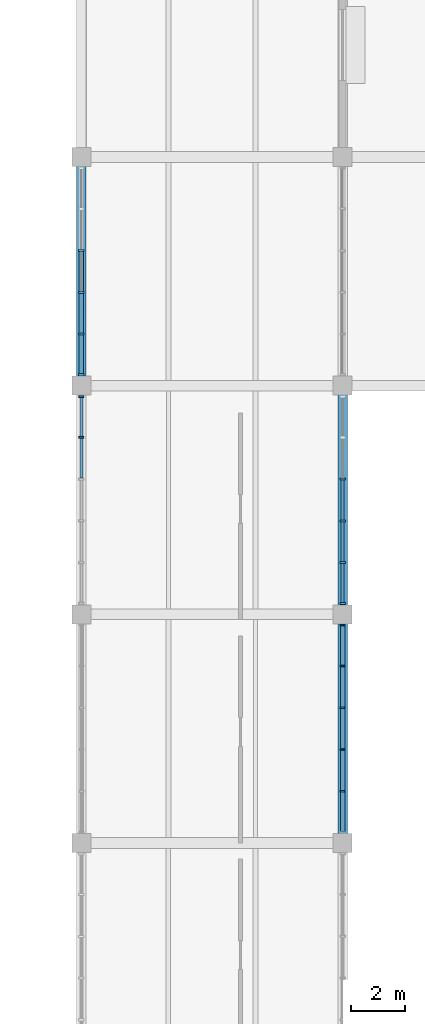
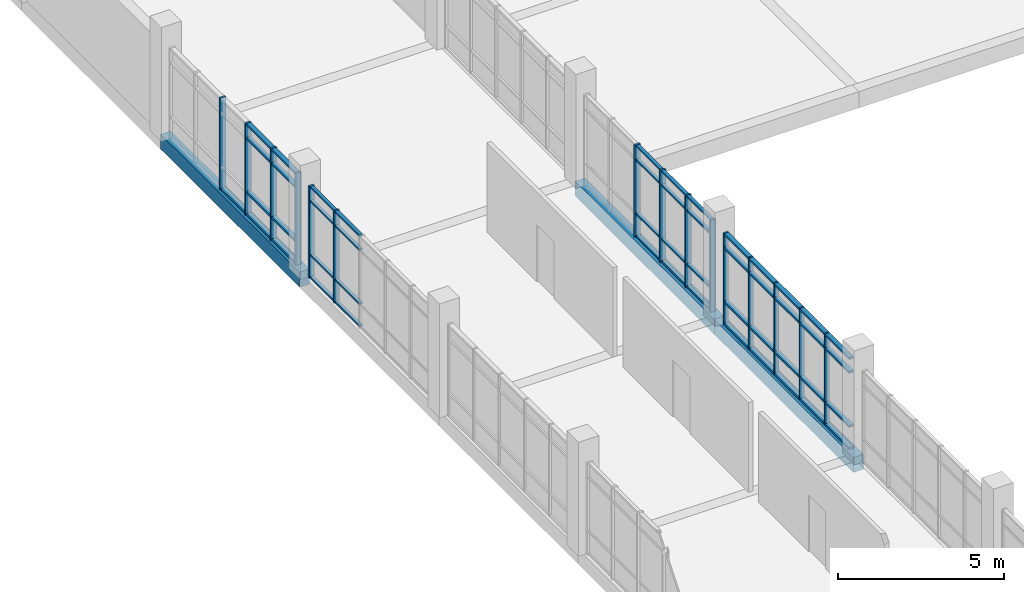
# One storey, part 12 of 57: 64 members, 3 beams, 4 elements without a shape of their own.
"""IFC4 building model written with IfcOpenShell, lengths in metres."""

from ifc_helpers import new_model, si_unit, direction, frame, origin, origin_2d, place, context, subcontext, project, spatial, rectangle, extrude, material, material_profile, profile_set, type_object, element, aggregate, save


model = new_model("IFC4")

# Units and contexts
model_context = context("Model", 3, precision=1e-05, world=origin(), true_north=direction((0.0, 1.0)))
body_context = subcontext(model_context, "Body", "Model", "MODEL_VIEW")
ifc_project = project(units=[si_unit("LENGTHUNIT", "METRE"), si_unit("AREAUNIT", "SQUARE_METRE"), si_unit("VOLUMEUNIT", "CUBIC_METRE"), si_unit("PLANEANGLEUNIT", "RADIAN"), si_unit("MASSUNIT", "GRAM", prefix="KILO")], contexts=[model_context])

# Site, building, storey
site_placement = place(None, origin())
site = spatial("IfcSite", under=ifc_project, at=site_placement, CompositionType="ELEMENT")
building_placement = place(site_placement, origin())
building = spatial("IfcBuilding", under=site, at=building_placement, Name="Oolite Switchyard Hospital", CompositionType="ELEMENT")
storey_placement = place(building_placement, frame((0.0, 0.0, 17.800048828125)))
storey = spatial("IfcBuildingStorey", under=building, at=storey_placement, Name="L04", CompositionType="ELEMENT", Elevation=17.800048828125)

# Beams
ifc_material_1 = material(Name="Concrete C40/50", Category="concrete")
ifc_material_profile_1 = material_profile(ifc_material_1, rectangle(XDim=0.35009765625, YDim=0.550048828125, at=origin_2d()), Name="RCB350X550")
ifc_profile_set_1 = profile_set([ifc_material_profile_1], Name="Concrete C40/50")
beam_type = type_object("IfcBeamType", Name="BM-RC350X550", PredefinedType="BEAM", material=ifc_profile_set_1)
for number, where, z_axis, x_axis, name in (
    (1, (134.39990234375, 58.800048828125, -0.275146484375), (0.0, 1.0, 0.0), (-1.0, 0.0, 0.0), "L04 Y-Girder 2982"),
    (2, (144.0, 42.0, -0.275146484375), (0.0, 1.0, 0.0), (-1.0, 0.0, 0.0), "L04 Y-Girder 2995"),
):
    element("IfcBeam", number, at=place(storey_placement, frame(where, z_axis=z_axis, x_axis=x_axis)), inside=storey, type_object=beam_type, Name=name, PredefinedType="BEAM", context=body_context, shape_type="SweptSolid", body=[
        extrude(rectangle(XDim=0.35009765625, YDim=0.550048828125, at=origin_2d()), origin(), (0.0, 0.0, 1.0), 8.39990234375),
    ])
beam_placement = place(storey_placement, frame((144.0, 50.39990234375, -0.275146484375), z_axis=(0.0, 1.0, 0.0), x_axis=(-1.0, 0.0, 0.0)))
element("IfcBeam", 3, at=beam_placement, inside=storey, type_object=beam_type, Name="L04 Y-Girder 2996", PredefinedType="BEAM", context=body_context, shape_type="SweptSolid", body=[
    extrude(rectangle(XDim=0.35009765625, YDim=0.550048828125, at=origin_2d()), origin(), (0.0, 0.0, 1.0), 8.400146484375),
])

# Curtain wall, members
ifc_material_2 = material(Name="Thermally broken aluminum frame with laminated impact glazing", Category="aluminium")
curtain_wall_type = type_object("IfcCurtainWallType", Name="CW-UNIT-84X42", PredefinedType="USERDEFINED", material=ifc_material_2)
curtain_wall_1_placement = place(storey_placement, origin())
curtain_wall_1 = element("IfcCurtainWall", 4, at=curtain_wall_1_placement, inside=storey, type_object=curtain_wall_type, Name="L04 Unitised Curtain Wall 371", ObjectType="UNITISED", PredefinedType="USERDEFINED")
ifc_material_3 = material(Name="Aluminium 6063-T6", Category="aluminium")
ifc_material_profile_2 = material_profile(ifc_material_3, rectangle(XDim=0.159912109375, YDim=0.06005859375, at=origin_2d()), Name="CWM60X160")
ifc_profile_set_2 = profile_set([ifc_material_profile_2], Name="Aluminium 6063-T6")
member_type_1 = type_object("IfcMemberType", Name="CW-MUL-180", PredefinedType="MULLION", material=ifc_profile_set_2)
member_1_placement = place(storey_placement, frame((144.0, 50.0048828125, 0.0), z_axis=(0.0, 0.0, 1.0), x_axis=(1.0, 0.0, 0.0)))
member_1 = element("IfcMember", 5, at=member_1_placement, type_object=member_type_1, Name="CW-10 mullion 1", PredefinedType="MULLION", context=body_context, shape_type="SweptSolid", body=[
    extrude(rectangle(XDim=0.159912109375, YDim=0.06005859375, at=origin_2d()), origin(), (0.0, 0.0, 1.0), 3.389892578125),
])
member_2_placement = place(storey_placement, frame((144.0, 48.5009765625, 0.0), z_axis=(0.0, 0.0, 1.0), x_axis=(1.0, 0.0, 0.0)))
member_2 = element("IfcMember", 6, at=member_2_placement, type_object=member_type_1, Name="CW-10 mullion 2", PredefinedType="MULLION", context=body_context, shape_type="SweptSolid", body=[
    extrude(rectangle(XDim=0.159912109375, YDim=0.06005859375, at=origin_2d()), origin(), (0.0, 0.0, 1.0), 3.389892578125),
])
member_3_placement = place(storey_placement, frame((144.0, 46.967041015625, 0.0), z_axis=(0.0, 0.0, 1.0), x_axis=(1.0, 0.0, 0.0)))
member_3 = element("IfcMember", 7, at=member_3_placement, type_object=member_type_1, Name="CW-10 mullion 3", PredefinedType="MULLION", context=body_context, shape_type="SweptSolid", body=[
    extrude(rectangle(XDim=0.159912109375, YDim=0.06005859375, at=origin_2d()), origin(), (0.0, 0.0, 1.0), 3.389892578125),
])
member_4_placement = place(storey_placement, frame((144.0, 45.43310546875, 0.0), z_axis=(0.0, 0.0, 1.0), x_axis=(1.0, 0.0, 0.0)))
member_4 = element("IfcMember", 8, at=member_4_placement, type_object=member_type_1, Name="CW-10 mullion 4", PredefinedType="MULLION", context=body_context, shape_type="SweptSolid", body=[
    extrude(rectangle(XDim=0.159912109375, YDim=0.06005859375, at=origin_2d()), origin(), (0.0, 0.0, 1.0), 3.389892578125),
])
member_5_placement = place(storey_placement, frame((144.0, 43.89892578125, 0.0), z_axis=(0.0, 0.0, 1.0), x_axis=(1.0, 0.0, 0.0)))
member_5 = element("IfcMember", 9, at=member_5_placement, type_object=member_type_1, Name="CW-10 mullion 5", PredefinedType="MULLION", context=body_context, shape_type="SweptSolid", body=[
    extrude(rectangle(XDim=0.159912109375, YDim=0.06005859375, at=origin_2d()), origin(), (0.0, 0.0, 1.0), 3.389892578125),
])

curtain_wall_2_placement = place(storey_placement, origin())
curtain_wall_2 = element("IfcCurtainWall", 10, at=curtain_wall_2_placement, inside=storey, type_object=curtain_wall_type, Name="L04 Unitised Curtain Wall 366", ObjectType="UNITISED", PredefinedType="USERDEFINED")
ifc_material_profile_3 = material_profile(ifc_material_3, rectangle(XDim=0.179931640625, YDim=0.070068359375, at=origin_2d()), Name="CWM70X180")
ifc_profile_set_3 = profile_set([ifc_material_profile_3], Name="Aluminium 6063-T6")
member_type_2 = type_object("IfcMemberType", Name="CW-MUL-220", PredefinedType="MULLION", material=ifc_profile_set_3)
member_6_placement = place(storey_placement, frame((134.39990234375, 56.90087890625, 0.0), z_axis=(0.0, 0.0, 1.0), x_axis=(-1.0, 0.0, 0.0)))
member_6 = element("IfcMember", 11, at=member_6_placement, type_object=member_type_2, Name="CW-10 mullion 5", PredefinedType="MULLION", context=body_context, shape_type="SweptSolid", body=[
    extrude(rectangle(XDim=0.179931640625, YDim=0.070068359375, at=origin_2d()), origin(), (0.0, 0.0, 1.0), 3.389892578125),
])
member_7_placement = place(storey_placement, frame((134.39990234375, 58.39990234375, 0.0), z_axis=(0.0, 0.0, 1.0), x_axis=(-1.0, 0.0, 0.0)))
member_7 = element("IfcMember", 12, at=member_7_placement, type_object=member_type_2, Name="CW-10 mullion 6", PredefinedType="MULLION", context=body_context, shape_type="SweptSolid", body=[
    extrude(rectangle(XDim=0.179931640625, YDim=0.070068359375, at=origin_2d()), origin(), (0.0, 0.0, 1.0), 3.389892578125),
])

curtain_wall_3_placement = place(storey_placement, origin())
curtain_wall_3 = element("IfcCurtainWall", 13, at=curtain_wall_3_placement, inside=storey, type_object=curtain_wall_type, Name="L04 Unitised Curtain Wall 367", ObjectType="UNITISED", PredefinedType="USERDEFINED")
ifc_material_profile_4 = material_profile(ifc_material_3, rectangle(XDim=0.199951171875, YDim=0.074951171875, at=origin_2d()), Name="CWM75X200")
ifc_profile_set_4 = profile_set([ifc_material_profile_4], Name="Aluminium 6063-T6")
member_type_3 = type_object("IfcMemberType", Name="CW-MUL-260", PredefinedType="MULLION", material=ifc_profile_set_4)
member_8_placement = place(storey_placement, frame((134.39990234375, 59.202392578125, 0.0), z_axis=(0.0, 0.0, 1.0), x_axis=(-1.0, 0.0, 0.0)))
member_8 = element("IfcMember", 14, at=member_8_placement, type_object=member_type_3, Name="CW-10 mullion 1", PredefinedType="MULLION", context=body_context, shape_type="SweptSolid", body=[
    extrude(rectangle(XDim=0.199951171875, YDim=0.074951171875, at=origin_2d()), origin(), (0.0, 0.0, 1.0), 3.389892578125),
])
member_9_placement = place(storey_placement, frame((134.39990234375, 60.698974609375, 0.0), z_axis=(0.0, 0.0, 1.0), x_axis=(-1.0, 0.0, 0.0)))
member_9 = element("IfcMember", 15, at=member_9_placement, type_object=member_type_3, Name="CW-10 mullion 2", PredefinedType="MULLION", context=body_context, shape_type="SweptSolid", body=[
    extrude(rectangle(XDim=0.199951171875, YDim=0.074951171875, at=origin_2d()), origin(), (0.0, 0.0, 1.0), 3.389892578125),
])
member_10_placement = place(storey_placement, frame((134.39990234375, 62.23291015625, 0.0), z_axis=(0.0, 0.0, 1.0), x_axis=(-1.0, 0.0, 0.0)))
member_10 = element("IfcMember", 16, at=member_10_placement, type_object=member_type_3, Name="CW-10 mullion 3", PredefinedType="MULLION", context=body_context, shape_type="SweptSolid", body=[
    extrude(rectangle(XDim=0.199951171875, YDim=0.074951171875, at=origin_2d()), origin(), (0.0, 0.0, 1.0), 3.389892578125),
])
member_11_placement = place(storey_placement, frame((134.39990234375, 63.76708984375, 0.0), z_axis=(0.0, 0.0, 1.0), x_axis=(-1.0, 0.0, 0.0)))
member_11 = element("IfcMember", 17, at=member_11_placement, type_object=member_type_3, Name="CW-10 mullion 4", PredefinedType="MULLION", context=body_context, shape_type="SweptSolid", body=[
    extrude(rectangle(XDim=0.199951171875, YDim=0.074951171875, at=origin_2d()), origin(), (0.0, 0.0, 1.0), 3.389892578125),
])

curtain_wall_4_placement = place(storey_placement, origin())
curtain_wall_4 = element("IfcCurtainWall", 18, at=curtain_wall_4_placement, inside=storey, type_object=curtain_wall_type, Name="L04 Unitised Curtain Wall 370", ObjectType="UNITISED", PredefinedType="USERDEFINED")
member_12_placement = place(storey_placement, frame((144.0, 55.366943359375, 0.0), z_axis=(0.0, 0.0, 1.0), x_axis=(1.0, 0.0, 0.0)))
member_12 = element("IfcMember", 19, at=member_12_placement, type_object=member_type_3, Name="CW-10 mullion 3", PredefinedType="MULLION", context=body_context, shape_type="SweptSolid", body=[
    extrude(rectangle(XDim=0.199951171875, YDim=0.074951171875, at=origin_2d()), origin(), (0.0, 0.0, 1.0), 3.389892578125),
])
member_13_placement = place(storey_placement, frame((144.0, 53.8330078125, 0.0), z_axis=(0.0, 0.0, 1.0), x_axis=(1.0, 0.0, 0.0)))
member_13 = element("IfcMember", 20, at=member_13_placement, type_object=member_type_3, Name="CW-10 mullion 4", PredefinedType="MULLION", context=body_context, shape_type="SweptSolid", body=[
    extrude(rectangle(XDim=0.199951171875, YDim=0.074951171875, at=origin_2d()), origin(), (0.0, 0.0, 1.0), 3.389892578125),
])
member_14_placement = place(storey_placement, frame((144.0, 52.299072265625, 0.0), z_axis=(0.0, 0.0, 1.0), x_axis=(1.0, 0.0, 0.0)))
member_14 = element("IfcMember", 21, at=member_14_placement, type_object=member_type_3, Name="CW-10 mullion 5", PredefinedType="MULLION", context=body_context, shape_type="SweptSolid", body=[
    extrude(rectangle(XDim=0.199951171875, YDim=0.074951171875, at=origin_2d()), origin(), (0.0, 0.0, 1.0), 3.389892578125),
])
member_15_placement = place(storey_placement, frame((144.0, 50.802490234375, 0.0), z_axis=(0.0, 0.0, 1.0), x_axis=(1.0, 0.0, 0.0)))
member_15 = element("IfcMember", 22, at=member_15_placement, type_object=member_type_3, Name="CW-10 mullion 6", PredefinedType="MULLION", context=body_context, shape_type="SweptSolid", body=[
    extrude(rectangle(XDim=0.199951171875, YDim=0.074951171875, at=origin_2d()), origin(), (0.0, 0.0, 1.0), 3.389892578125),
])

# Member
ifc_material_profile_5 = material_profile(ifc_material_3, rectangle(XDim=0.1201171875, YDim=0.06005859375, at=origin_2d()), Name="CWT60X120")
ifc_profile_set_5 = profile_set([ifc_material_profile_5], Name="Aluminium 6063-T6")
member_type_4 = type_object("IfcMemberType", Name="CW-TRN-150", PredefinedType="USERDEFINED", material=ifc_profile_set_5)
member_16_placement = place(storey_placement, frame((134.39990234375, 55.402099609375, 0.030029296875), z_axis=(0.0, 1.0, 0.0), x_axis=(-1.0, 0.0, 0.0)))
member_16 = element("IfcMember", 23, at=member_16_placement, type_object=member_type_4, Name="CW-10 transom 4.1", ObjectType="TRANSOM", PredefinedType="USERDEFINED", context=body_context, shape_type="SweptSolid", body=[
    extrude(rectangle(XDim=0.1201171875, YDim=0.06005859375, at=origin_2d()), origin(), (0.0, 0.0, 1.0), 1.4638671875),
])

member_17_placement = place(storey_placement, frame((134.39990234375, 55.402099609375, 0.849853515625), z_axis=(0.0, 1.0, 0.0), x_axis=(-1.0, 0.0, 0.0)))
member_17 = element("IfcMember", 24, at=member_17_placement, type_object=member_type_4, Name="CW-10 transom 4.2", ObjectType="TRANSOM", PredefinedType="USERDEFINED", context=body_context, shape_type="SweptSolid", body=[
    extrude(rectangle(XDim=0.1201171875, YDim=0.06005859375, at=origin_2d()), origin(), (0.0, 0.0, 1.0), 1.4638671875),
])

member_18_placement = place(storey_placement, frame((134.39990234375, 55.402099609375, 2.83984375), z_axis=(0.0, 1.0, 0.0), x_axis=(-1.0, 0.0, 0.0)))
member_18 = element("IfcMember", 25, at=member_18_placement, type_object=member_type_4, Name="CW-10 transom 4.3", ObjectType="TRANSOM", PredefinedType="USERDEFINED", context=body_context, shape_type="SweptSolid", body=[
    extrude(rectangle(XDim=0.1201171875, YDim=0.06005859375, at=origin_2d()), origin(), (0.0, 0.0, 1.0), 1.4638671875),
])

member_19_placement = place(storey_placement, frame((134.39990234375, 55.402099609375, 3.35986328125), z_axis=(0.0, 1.0, 0.0), x_axis=(-1.0, 0.0, 0.0)))
member_19 = element("IfcMember", 26, at=member_19_placement, type_object=member_type_4, Name="CW-10 transom 4.4", ObjectType="TRANSOM", PredefinedType="USERDEFINED", context=body_context, shape_type="SweptSolid", body=[
    extrude(rectangle(XDim=0.1201171875, YDim=0.06005859375, at=origin_2d()), origin(), (0.0, 0.0, 1.0), 1.4638671875),
])

member_20_placement = place(storey_placement, frame((134.39990234375, 56.93603515625, 0.030029296875), z_axis=(0.0, 1.0, 0.0), x_axis=(-1.0, 0.0, 0.0)))
member_20 = element("IfcMember", 27, at=member_20_placement, type_object=member_type_4, Name="CW-10 transom 5.1", ObjectType="TRANSOM", PredefinedType="USERDEFINED", context=body_context, shape_type="SweptSolid", body=[
    extrude(rectangle(XDim=0.1201171875, YDim=0.06005859375, at=origin_2d()), origin(), (0.0, 0.0, 1.0), 1.428955078125),
])

member_21_placement = place(storey_placement, frame((134.39990234375, 56.93603515625, 0.849853515625), z_axis=(0.0, 1.0, 0.0), x_axis=(-1.0, 0.0, 0.0)))
member_21 = element("IfcMember", 28, at=member_21_placement, type_object=member_type_4, Name="CW-10 transom 5.2", ObjectType="TRANSOM", PredefinedType="USERDEFINED", context=body_context, shape_type="SweptSolid", body=[
    extrude(rectangle(XDim=0.1201171875, YDim=0.06005859375, at=origin_2d()), origin(), (0.0, 0.0, 1.0), 1.428955078125),
])

member_22_placement = place(storey_placement, frame((134.39990234375, 56.93603515625, 2.83984375), z_axis=(0.0, 1.0, 0.0), x_axis=(-1.0, 0.0, 0.0)))
member_22 = element("IfcMember", 29, at=member_22_placement, type_object=member_type_4, Name="CW-10 transom 5.3", ObjectType="TRANSOM", PredefinedType="USERDEFINED", context=body_context, shape_type="SweptSolid", body=[
    extrude(rectangle(XDim=0.1201171875, YDim=0.06005859375, at=origin_2d()), origin(), (0.0, 0.0, 1.0), 1.428955078125),
])

member_23_placement = place(storey_placement, frame((134.39990234375, 56.93603515625, 3.35986328125), z_axis=(0.0, 1.0, 0.0), x_axis=(-1.0, 0.0, 0.0)))
member_23 = element("IfcMember", 30, at=member_23_placement, type_object=member_type_4, Name="CW-10 transom 5.4", ObjectType="TRANSOM", PredefinedType="USERDEFINED", context=body_context, shape_type="SweptSolid", body=[
    extrude(rectangle(XDim=0.1201171875, YDim=0.06005859375, at=origin_2d()), origin(), (0.0, 0.0, 1.0), 1.428955078125),
])

aggregate(curtain_wall_2, [member_6, member_7, member_16, member_17, member_18, member_19, member_20, member_21, member_22, member_23])

member_24_placement = place(storey_placement, frame((144.0, 55.32958984375, 0.030029296875), z_axis=(0.0, -1.0, 0.0), x_axis=(1.0, 0.0, 0.0)))
member_24 = element("IfcMember", 31, at=member_24_placement, type_object=member_type_4, Name="CW-10 transom 3.1", ObjectType="TRANSOM", PredefinedType="USERDEFINED", context=body_context, shape_type="SweptSolid", body=[
    extrude(rectangle(XDim=0.1201171875, YDim=0.06005859375, at=origin_2d()), origin(), (0.0, 0.0, 1.0), 1.458984375),
])

member_25_placement = place(storey_placement, frame((144.0, 55.32958984375, 0.849853515625), z_axis=(0.0, -1.0, 0.0), x_axis=(1.0, 0.0, 0.0)))
member_25 = element("IfcMember", 32, at=member_25_placement, type_object=member_type_4, Name="CW-10 transom 3.2", ObjectType="TRANSOM", PredefinedType="USERDEFINED", context=body_context, shape_type="SweptSolid", body=[
    extrude(rectangle(XDim=0.1201171875, YDim=0.06005859375, at=origin_2d()), origin(), (0.0, 0.0, 1.0), 1.458984375),
])

member_26_placement = place(storey_placement, frame((144.0, 55.32958984375, 2.83984375), z_axis=(0.0, -1.0, 0.0), x_axis=(1.0, 0.0, 0.0)))
member_26 = element("IfcMember", 33, at=member_26_placement, type_object=member_type_4, Name="CW-10 transom 3.3", ObjectType="TRANSOM", PredefinedType="USERDEFINED", context=body_context, shape_type="SweptSolid", body=[
    extrude(rectangle(XDim=0.1201171875, YDim=0.06005859375, at=origin_2d()), origin(), (0.0, 0.0, 1.0), 1.458984375),
])

member_27_placement = place(storey_placement, frame((144.0, 55.32958984375, 3.35986328125), z_axis=(0.0, -1.0, 0.0), x_axis=(1.0, 0.0, 0.0)))
member_27 = element("IfcMember", 34, at=member_27_placement, type_object=member_type_4, Name="CW-10 transom 3.4", ObjectType="TRANSOM", PredefinedType="USERDEFINED", context=body_context, shape_type="SweptSolid", body=[
    extrude(rectangle(XDim=0.1201171875, YDim=0.06005859375, at=origin_2d()), origin(), (0.0, 0.0, 1.0), 1.458984375),
])

member_28_placement = place(storey_placement, frame((144.0, 53.79541015625, 0.030029296875), z_axis=(0.0, -1.0, 0.0), x_axis=(1.0, 0.0, 0.0)))
member_28 = element("IfcMember", 35, at=member_28_placement, type_object=member_type_4, Name="CW-10 transom 4.1", ObjectType="TRANSOM", PredefinedType="USERDEFINED", context=body_context, shape_type="SweptSolid", body=[
    extrude(rectangle(XDim=0.1201171875, YDim=0.06005859375, at=origin_2d()), origin(), (0.0, 0.0, 1.0), 1.458984375),
])

member_29_placement = place(storey_placement, frame((144.0, 53.79541015625, 0.849853515625), z_axis=(0.0, -1.0, 0.0), x_axis=(1.0, 0.0, 0.0)))
member_29 = element("IfcMember", 36, at=member_29_placement, type_object=member_type_4, Name="CW-10 transom 4.2", ObjectType="TRANSOM", PredefinedType="USERDEFINED", context=body_context, shape_type="SweptSolid", body=[
    extrude(rectangle(XDim=0.1201171875, YDim=0.06005859375, at=origin_2d()), origin(), (0.0, 0.0, 1.0), 1.458984375),
])

member_30_placement = place(storey_placement, frame((144.0, 53.79541015625, 2.83984375), z_axis=(0.0, -1.0, 0.0), x_axis=(1.0, 0.0, 0.0)))
member_30 = element("IfcMember", 37, at=member_30_placement, type_object=member_type_4, Name="CW-10 transom 4.3", ObjectType="TRANSOM", PredefinedType="USERDEFINED", context=body_context, shape_type="SweptSolid", body=[
    extrude(rectangle(XDim=0.1201171875, YDim=0.06005859375, at=origin_2d()), origin(), (0.0, 0.0, 1.0), 1.458984375),
])

member_31_placement = place(storey_placement, frame((144.0, 53.79541015625, 3.35986328125), z_axis=(0.0, -1.0, 0.0), x_axis=(1.0, 0.0, 0.0)))
member_31 = element("IfcMember", 38, at=member_31_placement, type_object=member_type_4, Name="CW-10 transom 4.4", ObjectType="TRANSOM", PredefinedType="USERDEFINED", context=body_context, shape_type="SweptSolid", body=[
    extrude(rectangle(XDim=0.1201171875, YDim=0.06005859375, at=origin_2d()), origin(), (0.0, 0.0, 1.0), 1.458984375),
])

member_32_placement = place(storey_placement, frame((144.0, 52.261474609375, 0.030029296875), z_axis=(0.0, -1.0, 0.0), x_axis=(1.0, 0.0, 0.0)))
member_32 = element("IfcMember", 39, at=member_32_placement, type_object=member_type_4, Name="CW-10 transom 5.1", ObjectType="TRANSOM", PredefinedType="USERDEFINED", context=body_context, shape_type="SweptSolid", body=[
    extrude(rectangle(XDim=0.1201171875, YDim=0.06005859375, at=origin_2d()), origin(), (0.0, 0.0, 1.0), 1.42138671875),
])

member_33_placement = place(storey_placement, frame((144.0, 52.261474609375, 0.849853515625), z_axis=(0.0, -1.0, 0.0), x_axis=(1.0, 0.0, 0.0)))
member_33 = element("IfcMember", 40, at=member_33_placement, type_object=member_type_4, Name="CW-10 transom 5.2", ObjectType="TRANSOM", PredefinedType="USERDEFINED", context=body_context, shape_type="SweptSolid", body=[
    extrude(rectangle(XDim=0.1201171875, YDim=0.06005859375, at=origin_2d()), origin(), (0.0, 0.0, 1.0), 1.42138671875),
])

member_34_placement = place(storey_placement, frame((144.0, 52.261474609375, 2.83984375), z_axis=(0.0, -1.0, 0.0), x_axis=(1.0, 0.0, 0.0)))
member_34 = element("IfcMember", 41, at=member_34_placement, type_object=member_type_4, Name="CW-10 transom 5.3", ObjectType="TRANSOM", PredefinedType="USERDEFINED", context=body_context, shape_type="SweptSolid", body=[
    extrude(rectangle(XDim=0.1201171875, YDim=0.06005859375, at=origin_2d()), origin(), (0.0, 0.0, 1.0), 1.42138671875),
])

member_35_placement = place(storey_placement, frame((144.0, 52.261474609375, 3.35986328125), z_axis=(0.0, -1.0, 0.0), x_axis=(1.0, 0.0, 0.0)))
member_35 = element("IfcMember", 42, at=member_35_placement, type_object=member_type_4, Name="CW-10 transom 5.4", ObjectType="TRANSOM", PredefinedType="USERDEFINED", context=body_context, shape_type="SweptSolid", body=[
    extrude(rectangle(XDim=0.1201171875, YDim=0.06005859375, at=origin_2d()), origin(), (0.0, 0.0, 1.0), 1.42138671875),
])

aggregate(curtain_wall_4, [member_12, member_13, member_14, member_15, member_24, member_25, member_26, member_27, member_28, member_29, member_30, member_31, member_32, member_33, member_34, member_35])

ifc_material_profile_6 = material_profile(ifc_material_3, rectangle(XDim=0.159912109375, YDim=0.074951171875, at=origin_2d()), Name="CWT75X160")
ifc_profile_set_6 = profile_set([ifc_material_profile_6], Name="Aluminium 6063-T6")
member_type_5 = type_object("IfcMemberType", Name="CW-TRN-180", PredefinedType="USERDEFINED", material=ifc_profile_set_6)
member_36_placement = place(storey_placement, frame((134.39990234375, 59.239990234375, 0.037353515625), z_axis=(0.0, 1.0, 0.0), x_axis=(-1.0, 0.0, 0.0)))
member_36 = element("IfcMember", 43, at=member_36_placement, type_object=member_type_5, Name="CW-10 transom 1.1", ObjectType="TRANSOM", PredefinedType="USERDEFINED", context=body_context, shape_type="SweptSolid", body=[
    extrude(rectangle(XDim=0.159912109375, YDim=0.074951171875, at=origin_2d()), origin(), (0.0, 0.0, 1.0), 1.421630859375),
])

member_37_placement = place(storey_placement, frame((134.39990234375, 59.239990234375, 0.849853515625), z_axis=(0.0, 1.0, 0.0), x_axis=(-1.0, 0.0, 0.0)))
member_37 = element("IfcMember", 44, at=member_37_placement, type_object=member_type_5, Name="CW-10 transom 1.2", ObjectType="TRANSOM", PredefinedType="USERDEFINED", context=body_context, shape_type="SweptSolid", body=[
    extrude(rectangle(XDim=0.159912109375, YDim=0.074951171875, at=origin_2d()), origin(), (0.0, 0.0, 1.0), 1.421630859375),
])

member_38_placement = place(storey_placement, frame((134.39990234375, 59.239990234375, 2.83984375), z_axis=(0.0, 1.0, 0.0), x_axis=(-1.0, 0.0, 0.0)))
member_38 = element("IfcMember", 45, at=member_38_placement, type_object=member_type_5, Name="CW-10 transom 1.3", ObjectType="TRANSOM", PredefinedType="USERDEFINED", context=body_context, shape_type="SweptSolid", body=[
    extrude(rectangle(XDim=0.159912109375, YDim=0.074951171875, at=origin_2d()), origin(), (0.0, 0.0, 1.0), 1.421630859375),
])

member_39_placement = place(storey_placement, frame((134.39990234375, 59.239990234375, 3.3525390625), z_axis=(0.0, 1.0, 0.0), x_axis=(-1.0, 0.0, 0.0)))
member_39 = element("IfcMember", 46, at=member_39_placement, type_object=member_type_5, Name="CW-10 transom 1.4", ObjectType="TRANSOM", PredefinedType="USERDEFINED", context=body_context, shape_type="SweptSolid", body=[
    extrude(rectangle(XDim=0.159912109375, YDim=0.074951171875, at=origin_2d()), origin(), (0.0, 0.0, 1.0), 1.421630859375),
])

member_40_placement = place(storey_placement, frame((134.39990234375, 60.736572265625, 0.037353515625), z_axis=(0.0, 1.0, 0.0), x_axis=(-1.0, 0.0, 0.0)))
member_40 = element("IfcMember", 47, at=member_40_placement, type_object=member_type_5, Name="CW-10 transom 2.1", ObjectType="TRANSOM", PredefinedType="USERDEFINED", context=body_context, shape_type="SweptSolid", body=[
    extrude(rectangle(XDim=0.159912109375, YDim=0.074951171875, at=origin_2d()), origin(), (0.0, 0.0, 1.0), 1.458984375),
])

member_41_placement = place(storey_placement, frame((134.39990234375, 60.736572265625, 0.849853515625), z_axis=(0.0, 1.0, 0.0), x_axis=(-1.0, 0.0, 0.0)))
member_41 = element("IfcMember", 48, at=member_41_placement, type_object=member_type_5, Name="CW-10 transom 2.2", ObjectType="TRANSOM", PredefinedType="USERDEFINED", context=body_context, shape_type="SweptSolid", body=[
    extrude(rectangle(XDim=0.159912109375, YDim=0.074951171875, at=origin_2d()), origin(), (0.0, 0.0, 1.0), 1.458984375),
])

member_42_placement = place(storey_placement, frame((134.39990234375, 60.736572265625, 2.83984375), z_axis=(0.0, 1.0, 0.0), x_axis=(-1.0, 0.0, 0.0)))
member_42 = element("IfcMember", 49, at=member_42_placement, type_object=member_type_5, Name="CW-10 transom 2.3", ObjectType="TRANSOM", PredefinedType="USERDEFINED", context=body_context, shape_type="SweptSolid", body=[
    extrude(rectangle(XDim=0.159912109375, YDim=0.074951171875, at=origin_2d()), origin(), (0.0, 0.0, 1.0), 1.458984375),
])

member_43_placement = place(storey_placement, frame((134.39990234375, 60.736572265625, 3.3525390625), z_axis=(0.0, 1.0, 0.0), x_axis=(-1.0, 0.0, 0.0)))
member_43 = element("IfcMember", 50, at=member_43_placement, type_object=member_type_5, Name="CW-10 transom 2.4", ObjectType="TRANSOM", PredefinedType="USERDEFINED", context=body_context, shape_type="SweptSolid", body=[
    extrude(rectangle(XDim=0.159912109375, YDim=0.074951171875, at=origin_2d()), origin(), (0.0, 0.0, 1.0), 1.458984375),
])

member_44_placement = place(storey_placement, frame((134.39990234375, 62.2705078125, 0.037353515625), z_axis=(0.0, 1.0, 0.0), x_axis=(-1.0, 0.0, 0.0)))
member_44 = element("IfcMember", 51, at=member_44_placement, type_object=member_type_5, Name="CW-10 transom 3.1", ObjectType="TRANSOM", PredefinedType="USERDEFINED", context=body_context, shape_type="SweptSolid", body=[
    extrude(rectangle(XDim=0.159912109375, YDim=0.074951171875, at=origin_2d()), origin(), (0.0, 0.0, 1.0), 1.458984375),
])

aggregate(curtain_wall_3, [member_8, member_9, member_10, member_11, member_36, member_37, member_38, member_39, member_40, member_41, member_42, member_43, member_44])

member_45_placement = place(storey_placement, frame((144.0, 49.97509765625, 0.037353515625), z_axis=(0.0, -1.0, 0.0), x_axis=(1.0, 0.0, 0.0)))
member_45 = element("IfcMember", 52, at=member_45_placement, type_object=member_type_5, Name="CW-10 transom 1.1", ObjectType="TRANSOM", PredefinedType="USERDEFINED", context=body_context, shape_type="SweptSolid", body=[
    extrude(rectangle(XDim=0.159912109375, YDim=0.074951171875, at=origin_2d()), origin(), (0.0, 0.0, 1.0), 1.444091796875),
])

member_46_placement = place(storey_placement, frame((144.0, 49.97509765625, 0.849853515625), z_axis=(0.0, -1.0, 0.0), x_axis=(1.0, 0.0, 0.0)))
member_46 = element("IfcMember", 53, at=member_46_placement, type_object=member_type_5, Name="CW-10 transom 1.2", ObjectType="TRANSOM", PredefinedType="USERDEFINED", context=body_context, shape_type="SweptSolid", body=[
    extrude(rectangle(XDim=0.159912109375, YDim=0.074951171875, at=origin_2d()), origin(), (0.0, 0.0, 1.0), 1.444091796875),
])

member_47_placement = place(storey_placement, frame((144.0, 49.97509765625, 2.83984375), z_axis=(0.0, -1.0, 0.0), x_axis=(1.0, 0.0, 0.0)))
member_47 = element("IfcMember", 54, at=member_47_placement, type_object=member_type_5, Name="CW-10 transom 1.3", ObjectType="TRANSOM", PredefinedType="USERDEFINED", context=body_context, shape_type="SweptSolid", body=[
    extrude(rectangle(XDim=0.159912109375, YDim=0.074951171875, at=origin_2d()), origin(), (0.0, 0.0, 1.0), 1.444091796875),
])

member_48_placement = place(storey_placement, frame((144.0, 49.97509765625, 3.3525390625), z_axis=(0.0, -1.0, 0.0), x_axis=(1.0, 0.0, 0.0)))
member_48 = element("IfcMember", 55, at=member_48_placement, type_object=member_type_5, Name="CW-10 transom 1.4", ObjectType="TRANSOM", PredefinedType="USERDEFINED", context=body_context, shape_type="SweptSolid", body=[
    extrude(rectangle(XDim=0.159912109375, YDim=0.074951171875, at=origin_2d()), origin(), (0.0, 0.0, 1.0), 1.444091796875),
])

member_49_placement = place(storey_placement, frame((144.0, 48.470947265625, 0.037353515625), z_axis=(0.0, -1.0, 0.0), x_axis=(1.0, 0.0, 0.0)))
member_49 = element("IfcMember", 56, at=member_49_placement, type_object=member_type_5, Name="CW-10 transom 2.1", ObjectType="TRANSOM", PredefinedType="USERDEFINED", context=body_context, shape_type="SweptSolid", body=[
    extrude(rectangle(XDim=0.159912109375, YDim=0.074951171875, at=origin_2d()), origin(), (0.0, 0.0, 1.0), 1.473876953125),
])

member_50_placement = place(storey_placement, frame((144.0, 48.470947265625, 0.849853515625), z_axis=(0.0, -1.0, 0.0), x_axis=(1.0, 0.0, 0.0)))
member_50 = element("IfcMember", 57, at=member_50_placement, type_object=member_type_5, Name="CW-10 transom 2.2", ObjectType="TRANSOM", PredefinedType="USERDEFINED", context=body_context, shape_type="SweptSolid", body=[
    extrude(rectangle(XDim=0.159912109375, YDim=0.074951171875, at=origin_2d()), origin(), (0.0, 0.0, 1.0), 1.473876953125),
])

member_51_placement = place(storey_placement, frame((144.0, 48.470947265625, 2.83984375), z_axis=(0.0, -1.0, 0.0), x_axis=(1.0, 0.0, 0.0)))
member_51 = element("IfcMember", 58, at=member_51_placement, type_object=member_type_5, Name="CW-10 transom 2.3", ObjectType="TRANSOM", PredefinedType="USERDEFINED", context=body_context, shape_type="SweptSolid", body=[
    extrude(rectangle(XDim=0.159912109375, YDim=0.074951171875, at=origin_2d()), origin(), (0.0, 0.0, 1.0), 1.473876953125),
])

member_52_placement = place(storey_placement, frame((144.0, 48.470947265625, 3.3525390625), z_axis=(0.0, -1.0, 0.0), x_axis=(1.0, 0.0, 0.0)))
member_52 = element("IfcMember", 59, at=member_52_placement, type_object=member_type_5, Name="CW-10 transom 2.4", ObjectType="TRANSOM", PredefinedType="USERDEFINED", context=body_context, shape_type="SweptSolid", body=[
    extrude(rectangle(XDim=0.159912109375, YDim=0.074951171875, at=origin_2d()), origin(), (0.0, 0.0, 1.0), 1.473876953125),
])

member_53_placement = place(storey_placement, frame((144.0, 46.93701171875, 0.037353515625), z_axis=(0.0, -1.0, 0.0), x_axis=(1.0, 0.0, 0.0)))
member_53 = element("IfcMember", 60, at=member_53_placement, type_object=member_type_5, Name="CW-10 transom 3.1", ObjectType="TRANSOM", PredefinedType="USERDEFINED", context=body_context, shape_type="SweptSolid", body=[
    extrude(rectangle(XDim=0.159912109375, YDim=0.074951171875, at=origin_2d()), origin(), (0.0, 0.0, 1.0), 1.47412109375),
])

member_54_placement = place(storey_placement, frame((144.0, 46.93701171875, 0.849853515625), z_axis=(0.0, -1.0, 0.0), x_axis=(1.0, 0.0, 0.0)))
member_54 = element("IfcMember", 61, at=member_54_placement, type_object=member_type_5, Name="CW-10 transom 3.2", ObjectType="TRANSOM", PredefinedType="USERDEFINED", context=body_context, shape_type="SweptSolid", body=[
    extrude(rectangle(XDim=0.159912109375, YDim=0.074951171875, at=origin_2d()), origin(), (0.0, 0.0, 1.0), 1.47412109375),
])

member_55_placement = place(storey_placement, frame((144.0, 46.93701171875, 2.83984375), z_axis=(0.0, -1.0, 0.0), x_axis=(1.0, 0.0, 0.0)))
member_55 = element("IfcMember", 62, at=member_55_placement, type_object=member_type_5, Name="CW-10 transom 3.3", ObjectType="TRANSOM", PredefinedType="USERDEFINED", context=body_context, shape_type="SweptSolid", body=[
    extrude(rectangle(XDim=0.159912109375, YDim=0.074951171875, at=origin_2d()), origin(), (0.0, 0.0, 1.0), 1.47412109375),
])

member_56_placement = place(storey_placement, frame((144.0, 46.93701171875, 3.3525390625), z_axis=(0.0, -1.0, 0.0), x_axis=(1.0, 0.0, 0.0)))
member_56 = element("IfcMember", 63, at=member_56_placement, type_object=member_type_5, Name="CW-10 transom 3.4", ObjectType="TRANSOM", PredefinedType="USERDEFINED", context=body_context, shape_type="SweptSolid", body=[
    extrude(rectangle(XDim=0.159912109375, YDim=0.074951171875, at=origin_2d()), origin(), (0.0, 0.0, 1.0), 1.47412109375),
])

member_57_placement = place(storey_placement, frame((144.0, 45.403076171875, 0.037353515625), z_axis=(0.0, -1.0, 0.0), x_axis=(1.0, 0.0, 0.0)))
member_57 = element("IfcMember", 64, at=member_57_placement, type_object=member_type_5, Name="CW-10 transom 4.1", ObjectType="TRANSOM", PredefinedType="USERDEFINED", context=body_context, shape_type="SweptSolid", body=[
    extrude(rectangle(XDim=0.159912109375, YDim=0.074951171875, at=origin_2d()), origin(), (0.0, 0.0, 1.0), 1.47412109375),
])

member_58_placement = place(storey_placement, frame((144.0, 45.403076171875, 0.849853515625), z_axis=(0.0, -1.0, 0.0), x_axis=(1.0, 0.0, 0.0)))
member_58 = element("IfcMember", 65, at=member_58_placement, type_object=member_type_5, Name="CW-10 transom 4.2", ObjectType="TRANSOM", PredefinedType="USERDEFINED", context=body_context, shape_type="SweptSolid", body=[
    extrude(rectangle(XDim=0.159912109375, YDim=0.074951171875, at=origin_2d()), origin(), (0.0, 0.0, 1.0), 1.47412109375),
])

member_59_placement = place(storey_placement, frame((144.0, 45.403076171875, 2.83984375), z_axis=(0.0, -1.0, 0.0), x_axis=(1.0, 0.0, 0.0)))
member_59 = element("IfcMember", 66, at=member_59_placement, type_object=member_type_5, Name="CW-10 transom 4.3", ObjectType="TRANSOM", PredefinedType="USERDEFINED", context=body_context, shape_type="SweptSolid", body=[
    extrude(rectangle(XDim=0.159912109375, YDim=0.074951171875, at=origin_2d()), origin(), (0.0, 0.0, 1.0), 1.47412109375),
])

member_60_placement = place(storey_placement, frame((144.0, 45.403076171875, 3.3525390625), z_axis=(0.0, -1.0, 0.0), x_axis=(1.0, 0.0, 0.0)))
member_60 = element("IfcMember", 67, at=member_60_placement, type_object=member_type_5, Name="CW-10 transom 4.4", ObjectType="TRANSOM", PredefinedType="USERDEFINED", context=body_context, shape_type="SweptSolid", body=[
    extrude(rectangle(XDim=0.159912109375, YDim=0.074951171875, at=origin_2d()), origin(), (0.0, 0.0, 1.0), 1.47412109375),
])

member_61_placement = place(storey_placement, frame((144.0, 43.868896484375, 0.037353515625), z_axis=(0.0, -1.0, 0.0), x_axis=(1.0, 0.0, 0.0)))
member_61 = element("IfcMember", 68, at=member_61_placement, type_object=member_type_5, Name="CW-10 transom 5.1", ObjectType="TRANSOM", PredefinedType="USERDEFINED", context=body_context, shape_type="SweptSolid", body=[
    extrude(rectangle(XDim=0.159912109375, YDim=0.074951171875, at=origin_2d()), origin(), (0.0, 0.0, 1.0), 1.44384765625),
])

member_62_placement = place(storey_placement, frame((144.0, 43.868896484375, 0.849853515625), z_axis=(0.0, -1.0, 0.0), x_axis=(1.0, 0.0, 0.0)))
member_62 = element("IfcMember", 69, at=member_62_placement, type_object=member_type_5, Name="CW-10 transom 5.2", ObjectType="TRANSOM", PredefinedType="USERDEFINED", context=body_context, shape_type="SweptSolid", body=[
    extrude(rectangle(XDim=0.159912109375, YDim=0.074951171875, at=origin_2d()), origin(), (0.0, 0.0, 1.0), 1.44384765625),
])

member_63_placement = place(storey_placement, frame((144.0, 43.868896484375, 2.83984375), z_axis=(0.0, -1.0, 0.0), x_axis=(1.0, 0.0, 0.0)))
member_63 = element("IfcMember", 70, at=member_63_placement, type_object=member_type_5, Name="CW-10 transom 5.3", ObjectType="TRANSOM", PredefinedType="USERDEFINED", context=body_context, shape_type="SweptSolid", body=[
    extrude(rectangle(XDim=0.159912109375, YDim=0.074951171875, at=origin_2d()), origin(), (0.0, 0.0, 1.0), 1.44384765625),
])

member_64_placement = place(storey_placement, frame((144.0, 43.868896484375, 3.3525390625), z_axis=(0.0, -1.0, 0.0), x_axis=(1.0, 0.0, 0.0)))
member_64 = element("IfcMember", 71, at=member_64_placement, type_object=member_type_5, Name="CW-10 transom 5.4", ObjectType="TRANSOM", PredefinedType="USERDEFINED", context=body_context, shape_type="SweptSolid", body=[
    extrude(rectangle(XDim=0.159912109375, YDim=0.074951171875, at=origin_2d()), origin(), (0.0, 0.0, 1.0), 1.44384765625),
])

aggregate(curtain_wall_1, [member_1, member_2, member_3, member_4, member_5, member_45, member_46, member_47, member_48, member_49, member_50, member_51, member_52, member_53, member_54, member_55, member_56, member_57, member_58, member_59, member_60, member_61, member_62, member_63, member_64])

save(model, "model.ifc")
